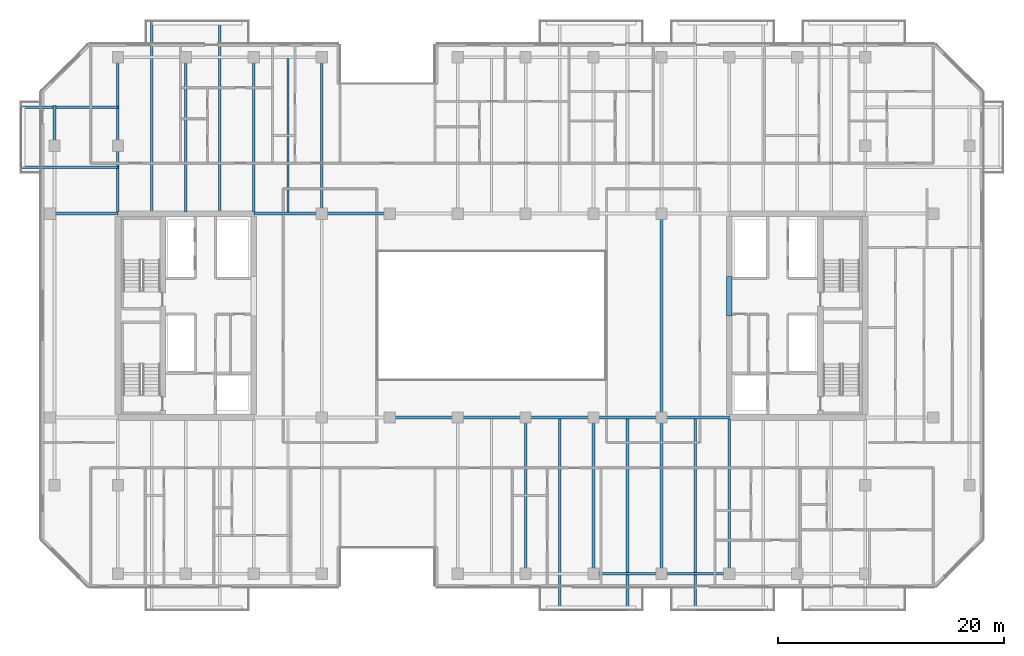
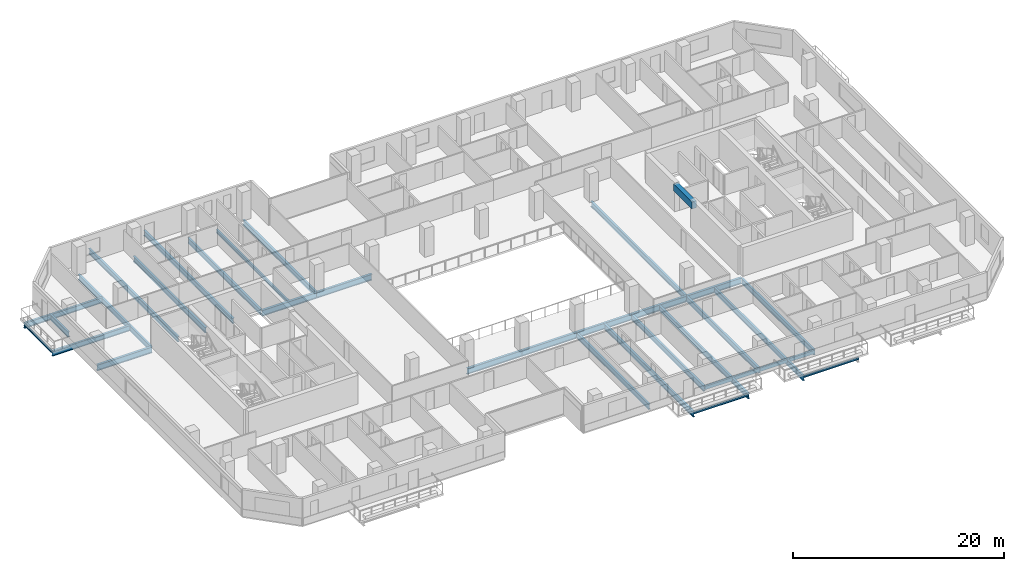
# One storey, part 5 of 23: 32 beams.
"""IFC4 building model written with IfcOpenShell, lengths in metres."""

from ifc_helpers import new_model, si_unit, direction, frame, origin, origin_2d, place, context, subcontext, project, spatial, rectangle, hollow_rectangle, i_section, extrude, material, material_profile, profile_set, type_object, element, save


model = new_model("IFC4")

# Units and contexts
model_context = context("Model", 3, precision=1e-05, world=origin(), true_north=direction((0.0, 1.0)))
body_context = subcontext(model_context, "Body", "Model", "MODEL_VIEW")
ifc_project = project(units=[si_unit("LENGTHUNIT", "METRE"), si_unit("AREAUNIT", "SQUARE_METRE"), si_unit("VOLUMEUNIT", "CUBIC_METRE"), si_unit("PLANEANGLEUNIT", "RADIAN"), si_unit("MASSUNIT", "GRAM", prefix="KILO")], contexts=[model_context])

# Site, building, storey
site_placement = place(None, origin())
site = spatial("IfcSite", under=ifc_project, at=site_placement, CompositionType="ELEMENT")
building_placement = place(site_placement, origin())
building = spatial("IfcBuilding", under=site, at=building_placement, Name="Tanjung Sevakor Pilgrim Tower", CompositionType="ELEMENT")
storey_placement = place(building_placement, frame((0.0, 0.0, 82.169921875)))
storey = spatial("IfcBuildingStorey", under=building, at=storey_placement, Name="L22", CompositionType="ELEMENT", Elevation=82.169921875)

# Beams
ifc_material_1 = material(Name="Steel S355J2", Category="steel")
ifc_material_profile_1 = material_profile(ifc_material_1, i_section(OverallWidth=0.25439453125, OverallDepth=0.6875, WebThickness=0.01318359375, FlangeThickness=0.02099609375, FilletRadius=0.01513671875, at=origin_2d()))
ifc_profile_set_1 = profile_set([ifc_material_profile_1], Name="Steel S355J2")
beam_type_1 = type_object("IfcBeamType", Name="BM-B-G2-UB_686x254x152", PredefinedType="BEAM", material=ifc_profile_set_1)
for number, where, z_axis, x_axis, name in (
    (1, (48.0, 24.60009765625, -0.563720703125), (1.0, 0.0, 0.0), (0.0, 1.0, 0.0), "L22 Primary Floor Girder MAIN Y246-04"),
    (2, (54.0, 24.60009765625, -0.563720703125), (1.0, 0.0, 0.0), (0.0, 1.0, 0.0), "L22 Primary Floor Girder MAIN Y246-05"),
    (3, (60.0, 24.60009765625, -0.563720703125), (1.0, 0.0, 0.0), (0.0, 1.0, 0.0), "L22 Primary Floor Girder MAIN Y246-06"),
    (4, (66.0, 24.60009765625, -0.563720703125), (1.0, 0.0, 0.0), (0.0, 1.0, 0.0), "L22 Primary Floor Girder MAIN Y246-07"),
    (5, (72.0, 24.60009765625, -0.563720703125), (1.0, 0.0, 0.0), (0.0, 1.0, 0.0), "L22 Primary Floor Girder MAIN Y246-08"),
    (6, (18.0, 42.60009765625, -0.563720703125), (1.0, 0.0, 0.0), (0.0, 1.0, 0.0), "L22 Primary Floor Girder MAIN Y426-01"),
    (7, (36.0, 42.60009765625, -0.563720703125), (1.0, 0.0, 0.0), (0.0, 1.0, 0.0), "L22 Primary Floor Girder MAIN Y426-02"),
    (8, (42.0, 42.60009765625, -0.563720703125), (1.0, 0.0, 0.0), (0.0, 1.0, 0.0), "L22 Primary Floor Girder MAIN Y426-03"),
):
    element("IfcBeam", number, at=place(storey_placement, frame(where, z_axis=z_axis, x_axis=x_axis)), inside=storey, type_object=beam_type_1, Name=name, PredefinedType="BEAM", context=body_context, shape_type="SweptSolid", body=[
        extrude(i_section(OverallWidth=0.25439453125, OverallDepth=0.6875, WebThickness=0.01318359375, FlangeThickness=0.02099609375, FilletRadius=0.01513671875, at=origin_2d()), origin(), (0.0, 0.0, 1.0), 6.0),
    ])
ifc_material_2 = material(Name="Steel S355J2", Category="steel")
ifc_material_profile_2 = material_profile(ifc_material_2, i_section(OverallWidth=0.230224609375, OverallDepth=0.6171875, WebThickness=0.01318359375, FlangeThickness=0.022216796875, FilletRadius=0.0126953125, at=origin_2d()))
ifc_profile_set_2 = profile_set([ifc_material_profile_2], Name="Steel S355J2")
beam_type_2 = type_object("IfcBeamType", Name="BM-B-G3-UB_610x229x140", PredefinedType="BEAM", material=ifc_profile_set_2)
for number, where, z_axis, x_axis, name in (
    (9, (24.0, 42.727294921875, -0.528564453125), (0.0, 1.0, 0.0), (-1.0, 0.0, 0.0), "L22 MAIN Girder 002"),
    (10, (30.0, 42.727294921875, -0.528564453125), (0.0, 1.0, 0.0), (-1.0, 0.0, 0.0), "L22 MAIN Girder 004"),
    (11, (36.0, 42.727294921875, -0.528564453125), (0.0, 1.0, 0.0), (-1.0, 0.0, 0.0), "L22 MAIN Girder 006"),
):
    element("IfcBeam", number, at=place(storey_placement, frame(where, z_axis=z_axis, x_axis=x_axis)), inside=storey, type_object=beam_type_2, Name=name, PredefinedType="BEAM", context=body_context, shape_type="SweptSolid", body=[
        extrude(i_section(OverallWidth=0.230224609375, OverallDepth=0.6171875, WebThickness=0.01318359375, FlangeThickness=0.022216796875, FilletRadius=0.0126953125, at=origin_2d()), origin(), (0.0, 0.0, 1.0), 13.672607421875),
    ])
beam_1_placement = place(storey_placement, frame((42.0, 42.60009765625, -0.528564453125), z_axis=(0.0, 1.0, 0.0), x_axis=(-1.0, 0.0, 0.0)))
element("IfcBeam", 12, at=beam_1_placement, inside=storey, type_object=beam_type_2, Name="L22 MAIN Girder 011", PredefinedType="BEAM", context=body_context, shape_type="SweptSolid", body=[
    extrude(i_section(OverallWidth=0.230224609375, OverallDepth=0.6171875, WebThickness=0.01318359375, FlangeThickness=0.022216796875, FilletRadius=0.0126953125, at=origin_2d()), origin(), (0.0, 0.0, 1.0), 13.7998046875),
])
for number, where, z_axis, x_axis, name in (
    (13, (60.0, 10.800048828125, -0.528564453125), (0.0, 1.0, 0.0), (-1.0, 0.0, 0.0), "L22 MAIN Girder 016"),
    (14, (66.0, 10.800048828125, -0.528564453125), (0.0, 1.0, 0.0), (-1.0, 0.0, 0.0), "L22 MAIN Girder 018"),
    (15, (72.0, 10.800048828125, -0.528564453125), (0.0, 1.0, 0.0), (-1.0, 0.0, 0.0), "L22 MAIN Girder 020"),
):
    element("IfcBeam", number, at=place(storey_placement, frame(where, z_axis=z_axis, x_axis=x_axis)), inside=storey, type_object=beam_type_2, Name=name, PredefinedType="BEAM", context=body_context, shape_type="SweptSolid", body=[
        extrude(i_section(OverallWidth=0.230224609375, OverallDepth=0.6171875, WebThickness=0.01318359375, FlangeThickness=0.022216796875, FilletRadius=0.0126953125, at=origin_2d()), origin(), (0.0, 0.0, 1.0), 13.800048828125),
    ])
beam_2_placement = place(storey_placement, frame((72.0, 24.60009765625, -0.528564453125), z_axis=(0.0, 1.0, 0.0), x_axis=(-1.0, 0.0, 0.0)))
element("IfcBeam", 16, at=beam_2_placement, inside=storey, type_object=beam_type_2, Name="L22 MAIN Girder 021", PredefinedType="BEAM", context=body_context, shape_type="SweptSolid", body=[
    extrude(i_section(OverallWidth=0.230224609375, OverallDepth=0.6171875, WebThickness=0.01318359375, FlangeThickness=0.022216796875, FilletRadius=0.0126953125, at=origin_2d()), origin(), (0.0, 0.0, 1.0), 18.0),
])
beam_3_placement = place(storey_placement, frame((78.0, 10.800048828125, -0.528564453125), z_axis=(0.0, 1.0, 0.0), x_axis=(-1.0, 0.0, 0.0)))
element("IfcBeam", 17, at=beam_3_placement, inside=storey, type_object=beam_type_2, Name="L22 MAIN Girder 023", PredefinedType="BEAM", context=body_context, shape_type="SweptSolid", body=[
    extrude(i_section(OverallWidth=0.230224609375, OverallDepth=0.6171875, WebThickness=0.01318359375, FlangeThickness=0.022216796875, FilletRadius=0.0126953125, at=origin_2d()), origin(), (0.0, 0.0, 1.0), 13.672607421875),
])
ifc_material_3 = material(Name="Steel S355J2", Category="steel")
ifc_material_profile_3 = material_profile(ifc_material_3, i_section(OverallWidth=0.22900390625, OverallDepth=0.6123046875, WebThickness=0.011962890625, FlangeThickness=0.01953125, FilletRadius=0.0126953125, at=origin_2d()))
ifc_profile_set_3 = profile_set([ifc_material_profile_3], Name="Steel S355J2")
beam_type_3 = type_object("IfcBeamType", Name="BM-B-G4-UB_610x229x125", PredefinedType="BEAM", material=ifc_profile_set_3)
beam_4_placement = place(storey_placement, frame((18.39990234375, 48.60009765625, -0.526123046875), z_axis=(0.0, 1.0, 0.0), x_axis=(-1.0, 0.0, 0.0)))
element("IfcBeam", 18, at=beam_4_placement, inside=storey, type_object=beam_type_3, Name="L22 Short-End Edge Extension N-W", PredefinedType="BEAM", context=body_context, shape_type="SweptSolid", body=[
    extrude(i_section(OverallWidth=0.22900390625, OverallDepth=0.6123046875, WebThickness=0.011962890625, FlangeThickness=0.01953125, FilletRadius=0.0126953125, at=origin_2d()), origin(), (0.0, 0.0, 1.0), 3.5498046875),
])
for number, where, z_axis, x_axis, name in (
    (19, (24.0, 46.699951171875, -0.526123046875), (-1.0, 0.0, 0.0), (0.0, -1.0, 0.0), "L22 Balcony Overhanging Beam MAIN-W1-1"),
    (20, (24.0, 52.0, -0.526123046875), (-1.0, 0.0, 0.0), (0.0, -1.0, 0.0), "L22 Balcony Overhanging Beam MAIN-W1-2"),
):
    element("IfcBeam", number, at=place(storey_placement, frame(where, z_axis=z_axis, x_axis=x_axis)), inside=storey, type_object=beam_type_3, Name=name, PredefinedType="BEAM", context=body_context, shape_type="SweptSolid", body=[
        extrude(i_section(OverallWidth=0.22900390625, OverallDepth=0.6123046875, WebThickness=0.011962890625, FlangeThickness=0.01953125, FilletRadius=0.0126953125, at=origin_2d()), origin(), (0.0, 0.0, 1.0), 8.530029296875),
    ])
for number, where, z_axis, x_axis, name in (
    (21, (27.0, 42.727294921875, -0.526123046875), (0.0, 1.0, 0.0), (-1.0, 0.0, 0.0), "L22 Balcony Cantilever Beam MAIN-N1-1"),
    (22, (33.0, 42.727294921875, -0.526123046875), (0.0, 1.0, 0.0), (-1.0, 0.0, 0.0), "L22 Balcony Cantilever Beam MAIN-N1-2"),
):
    element("IfcBeam", number, at=place(storey_placement, frame(where, z_axis=z_axis, x_axis=x_axis)), inside=storey, type_object=beam_type_3, Name=name, PredefinedType="BEAM", context=body_context, shape_type="SweptSolid", body=[
        extrude(i_section(OverallWidth=0.22900390625, OverallDepth=0.6123046875, WebThickness=0.011962890625, FlangeThickness=0.01953125, FilletRadius=0.0126953125, at=origin_2d()), origin(), (0.0, 0.0, 1.0), 16.852783203125),
    ])
for number, where, z_axis, x_axis, name in (
    (23, (63.0, 24.47265625, -0.526123046875), (0.0, -1.0, 0.0), (1.0, 0.0, 0.0), "L22 Balcony Cantilever Beam MAIN-S2-1"),
    (24, (69.0, 24.47265625, -0.526123046875), (0.0, -1.0, 0.0), (1.0, 0.0, 0.0), "L22 Balcony Cantilever Beam MAIN-S2-2"),
    (25, (75.0, 24.47265625, -0.526123046875), (0.0, -1.0, 0.0), (1.0, 0.0, 0.0), "L22 Balcony Cantilever Beam MAIN-S3-1"),
):
    element("IfcBeam", number, at=place(storey_placement, frame(where, z_axis=z_axis, x_axis=x_axis)), inside=storey, type_object=beam_type_3, Name=name, PredefinedType="BEAM", context=body_context, shape_type="SweptSolid", body=[
        extrude(i_section(OverallWidth=0.22900390625, OverallDepth=0.6123046875, WebThickness=0.011962890625, FlangeThickness=0.01953125, FilletRadius=0.0126953125, at=origin_2d()), origin(), (0.0, 0.0, 1.0), 16.8525390625),
    ])
ifc_material_4 = material(Name="Steel S355J2", Category="steel")
ifc_material_profile_4 = material_profile(ifc_material_4, i_section(OverallWidth=0.1787109375, OverallDepth=0.409423828125, WebThickness=0.0087890625, FlangeThickness=0.014404296875, FilletRadius=0.01025390625, at=origin_2d()))
ifc_profile_set_4 = profile_set([ifc_material_profile_4], Name="Steel S355J2")
beam_type_4 = type_object("IfcBeamType", Name="BM-B-J3-UB_406x178x67", PredefinedType="JOIST", material=ifc_profile_set_4)
beam_5_placement = place(storey_placement, frame((39.0, 42.727294921875, -0.424560546875), z_axis=(0.0, 1.0, 0.0), x_axis=(-1.0, 0.0, 0.0)))
element("IfcBeam", 26, at=beam_5_placement, inside=storey, type_object=beam_type_4, Name="L22 MAIN Joist 008", PredefinedType="JOIST", context=body_context, shape_type="SweptSolid", body=[
    extrude(i_section(OverallWidth=0.1787109375, OverallDepth=0.409423828125, WebThickness=0.0087890625, FlangeThickness=0.014404296875, FilletRadius=0.01025390625, at=origin_2d()), origin(), (0.0, 0.0, 1.0), 13.57275390625),
])
ifc_material_5 = material(Name="Steel S355J2", Category="steel")
ifc_material_profile_5 = material_profile(ifc_material_5, i_section(OverallWidth=0.146484375, OverallDepth=0.256103515625, WebThickness=0.00634765625, FlangeThickness=0.010986328125, FilletRadius=0.007568359375, at=origin_2d()))
ifc_profile_set_5 = profile_set([ifc_material_profile_5], Name="Steel S355J2")
beam_type_5 = type_object("IfcBeamType", Name="BM-B-J6-UB_254x146x37", PredefinedType="JOIST", material=ifc_profile_set_5)
for number, where, z_axis, x_axis, name in (
    (27, (63.0, 7.6201171875, -0.327880859375), (1.0, 0.0, 0.0), (0.0, 1.0, 0.0), "L22 Balcony Rim Tie MAIN-S2"),
    (28, (75.0, 7.6201171875, -0.327880859375), (1.0, 0.0, 0.0), (0.0, 1.0, 0.0), "L22 Balcony Rim Tie MAIN-S3"),
):
    element("IfcBeam", number, at=place(storey_placement, frame(where, z_axis=z_axis, x_axis=x_axis)), inside=storey, type_object=beam_type_5, Name=name, PredefinedType="JOIST", context=body_context, shape_type="SweptSolid", body=[
        extrude(i_section(OverallWidth=0.146484375, OverallDepth=0.256103515625, WebThickness=0.00634765625, FlangeThickness=0.010986328125, FilletRadius=0.007568359375, at=origin_2d()), origin(), (0.0, 0.0, 1.0), 6.0),
    ])
beam_6_placement = place(storey_placement, frame((15.469970703125, 46.699951171875, -0.327880859375), z_axis=(0.0, 1.0, 0.0), x_axis=(-1.0, 0.0, 0.0)))
element("IfcBeam", 29, at=beam_6_placement, inside=storey, type_object=beam_type_5, Name="L22 Balcony Rim Tie MAIN-W1", PredefinedType="JOIST", context=body_context, shape_type="SweptSolid", body=[
    extrude(i_section(OverallWidth=0.146484375, OverallDepth=0.256103515625, WebThickness=0.00634765625, FlangeThickness=0.010986328125, FilletRadius=0.007568359375, at=origin_2d()), origin(), (0.0, 0.0, 1.0), 5.300048828125),
])
ifc_material_6 = material(Name="Concrete C60/75", Category="concrete")
ifc_material_profile_6 = material_profile(ifc_material_6, rectangle(XDim=0.5, YDim=0.800048828125, at=origin_2d()))
ifc_profile_set_6 = profile_set([ifc_material_profile_6], Name="Concrete C60/75")
beam_type_6 = type_object("IfcBeamType", Name="BM-B-LN2-RC-BM_500x800", PredefinedType="LINTEL", material=ifc_profile_set_6)
beam_7_placement = place(storey_placement, frame((78.0, 33.550048828125, 2.68017578125), z_axis=(0.0, 1.0, 0.0), x_axis=(-1.0, 0.0, 0.0)))
element("IfcBeam", 30, at=beam_7_placement, inside=storey, type_object=beam_type_6, Name="L22 E Core Coupling Lintel", PredefinedType="LINTEL", context=body_context, shape_type="SweptSolid", body=[
    extrude(rectangle(XDim=0.5, YDim=0.800048828125, at=origin_2d()), origin(), (0.0, 0.0, 1.0), 3.5),
])
ifc_material_7 = material(Name="Steel S355J2", Category="steel")
ifc_material_profile_7 = material_profile(ifc_material_7, hollow_rectangle(XDim=0.199951171875, YDim=0.39990234375, WallThickness=0.01611328125, at=origin_2d()))
ifc_profile_set_7 = profile_set([ifc_material_profile_7], Name="Steel S355J2")
beam_type_7 = type_object("IfcBeamType", Name="BM-B-SP2-RHS_400x200x16", PredefinedType="SPANDREL", material=ifc_profile_set_7)
for number, where, z_axis, x_axis, name in (
    (31, (66.0, 10.800048828125, -0.419921875), (1.0, 0.0, 0.0), (0.0, 1.0, 0.0), "L22 Spandrel MAIN S-11"),
    (32, (72.0, 10.800048828125, -0.419921875), (1.0, 0.0, 0.0), (0.0, 1.0, 0.0), "L22 Spandrel MAIN S-13"),
):
    element("IfcBeam", number, at=place(storey_placement, frame(where, z_axis=z_axis, x_axis=x_axis)), inside=storey, type_object=beam_type_7, Name=name, PredefinedType="SPANDREL", context=body_context, shape_type="SweptSolid", body=[
        extrude(hollow_rectangle(XDim=0.199951171875, YDim=0.39990234375, WallThickness=0.01611328125, at=origin_2d()), origin(), (0.0, 0.0, 1.0), 6.0),
    ])

save(model, "model.ifc")
